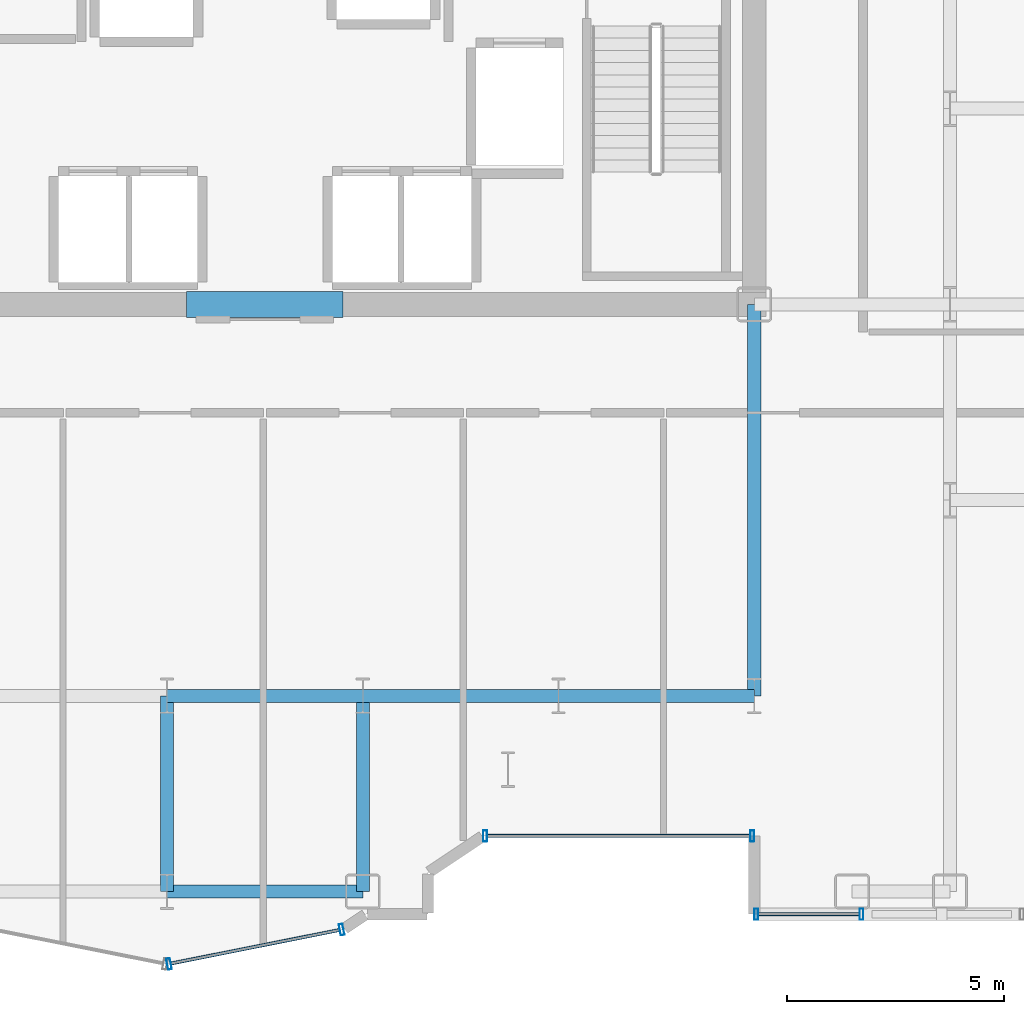
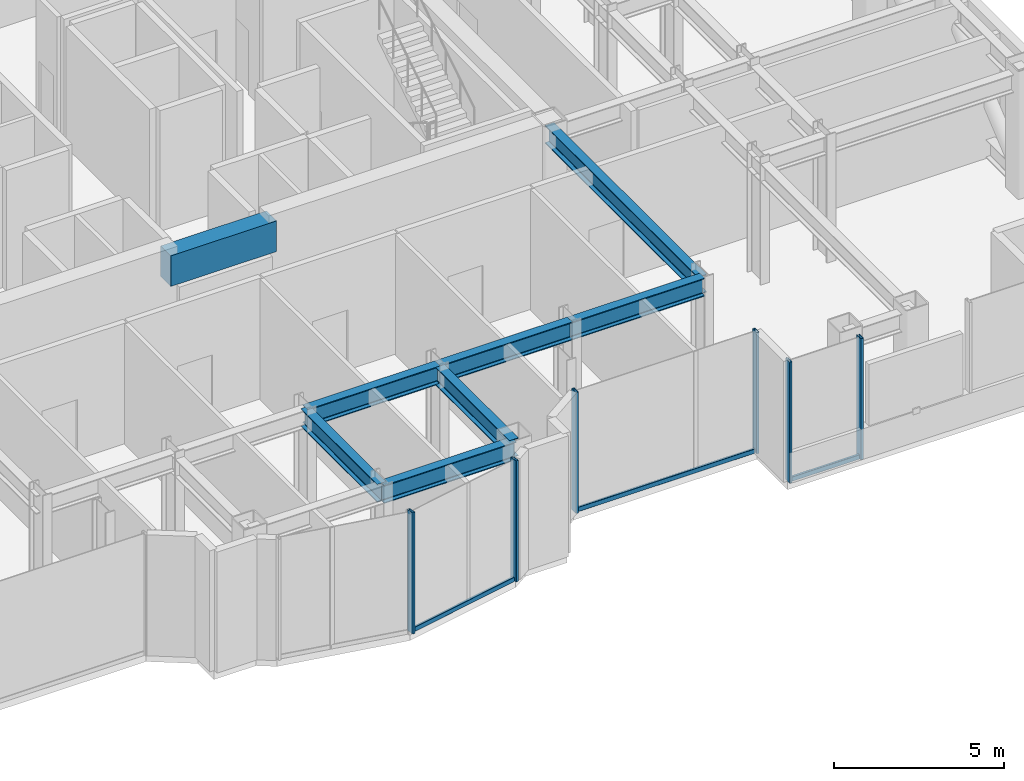
# One storey, part 8 of 26: 9 members, 8 beams, 3 elements without a shape of their own.
"""IFC4 building model written with IfcOpenShell, lengths in metres."""

from ifc_helpers import new_model, si_unit, direction, frame, origin, origin_2d, place, context, subcontext, project, spatial, rectangle, hollow_rectangle, i_section, extrude, source, transform, mapped, material, layer, layer_set, material_profile, profile_set, type_object, element, aggregate, save


model = new_model("IFC4")

# Units and contexts
model_context = context("Model", 3, precision=1e-05, world=origin(), true_north=direction((0.0, 1.0)))
body_context = subcontext(model_context, "Body", "Model", "MODEL_VIEW")
ifc_project = project(units=[si_unit("LENGTHUNIT", "METRE"), si_unit("AREAUNIT", "SQUARE_METRE"), si_unit("VOLUMEUNIT", "CUBIC_METRE"), si_unit("PLANEANGLEUNIT", "RADIAN"), si_unit("MASSUNIT", "GRAM", prefix="KILO")], contexts=[model_context])

# Site, building, storey
site_placement = place(None, origin())
site = spatial("IfcSite", under=ifc_project, at=site_placement, CompositionType="ELEMENT")
building_placement = place(site_placement, origin())
building = spatial("IfcBuilding", under=site, at=building_placement, Name="Nefas-Gora Pilgrimage Tower", CompositionType="ELEMENT")
storey_placement = place(building_placement, frame((0.0, 0.0, 202.0)))
storey = spatial("IfcBuildingStorey", under=building, at=storey_placement, Name="L50", CompositionType="ELEMENT", Elevation=202.0)

# Beams
ifc_material_1 = material(Name="Concrete C60/75", Category="concrete")
ifc_material_profile_1 = material_profile(ifc_material_1, rectangle(XDim=0.60009765625, YDim=1.10009765625, at=origin_2d()), Name="RC 600x1100")
ifc_profile_set_1 = profile_set([ifc_material_profile_1], Name="Concrete C60/75")
beam_type_1 = type_object("IfcBeamType", Name="BM-LIN-RC1100", PredefinedType="LINTEL", material=ifc_profile_set_1)
shared_shape_1 = source(origin(), body_context, "Body", "SweptSolid", [
    extrude(rectangle(XDim=0.60009765625, YDim=1.10009765625, at=origin_2d()), origin(), (0.0, 0.0, 1.0), 3.60009765625),
])
beam_1_placement = place(storey_placement, frame((-1.800048828125, -9.0, 3.800048828125), z_axis=(1.0, 0.0, 0.0), x_axis=(0.0, 1.0, 0.0)))
element("IfcBeam", 1, at=beam_1_placement, inside=storey, type_object=beam_type_1, Name="L50 Core Coupling Lintel Beam S", PredefinedType="LINTEL", context=body_context, shape_type="MappedRepresentation", body=[
    mapped(shared_shape_1, transform((0.0, 0.0, 0.0), x_axis=(1.0, 0.0, 0.0), y_axis=(0.0, 1.0, 0.0), z_axis=(0.0, 0.0, 1.0), scale=1.0)),
])
ifc_material_2 = material(Name="Steel S355", Category="steel")
ifc_material_profile_2 = material_profile(ifc_material_2, i_section(OverallWidth=0.300048828125, OverallDepth=0.64990234375, WebThickness=0.01611328125, FlangeThickness=0.031005859375, FilletRadius=0.027099609375, at=origin_2d()), Name="HEB 650")
ifc_profile_set_2 = profile_set([ifc_material_profile_2], Name="Steel S355")
beam_type_2 = type_object("IfcBeamType", Name="BM-GIR-HEB650", PredefinedType="BEAM", material=ifc_profile_set_2)
shared_shape_2 = source(origin(), body_context, "Body", "SweptSolid", [
    extrude(i_section(OverallWidth=0.300048828125, OverallDepth=0.64990234375, WebThickness=0.01611328125, FlangeThickness=0.031005859375, FilletRadius=0.027099609375, at=origin_2d()), origin(), (0.0, 0.0, 1.0), 9.0),
])
beam_2_placement = place(storey_placement, frame((11.25, -18.0, 4.02490234375), z_axis=(0.0, 1.0, 0.0), x_axis=(-1.0, 0.0, 0.0)))
element("IfcBeam", 2, at=beam_2_placement, inside=storey, type_object=beam_type_2, Name="L50 G-03 beam", PredefinedType="BEAM", context=body_context, shape_type="MappedRepresentation", body=[
    mapped(shared_shape_2, transform((0.0, 0.0, 0.0), x_axis=(1.0, 0.0, 0.0), y_axis=(0.0, 1.0, 0.0), z_axis=(0.0, 0.0, 1.0), scale=1.0)),
])
shared_shape_3 = source(origin(), body_context, "Body", "SweptSolid", [
    extrude(i_section(OverallWidth=0.300048828125, OverallDepth=0.64990234375, WebThickness=0.01611328125, FlangeThickness=0.031005859375, FilletRadius=0.027099609375, at=origin_2d()), origin(), (0.0, 0.0, 1.0), 4.5),
])
for number, where, z_axis, x_axis, name in (
    (3, (-2.25, -22.5, 4.02490234375), (0.0, 1.0, 0.0), (-1.0, 0.0, 0.0), "L50 G-03 beam"),
    (4, (-2.25, -22.5, 4.02490234375), (1.0, 0.0, 0.0), (0.0, 1.0, 0.0), "L50 G-03 beam"),
    (5, (-2.25, -18.0, 4.02490234375), (1.0, 0.0, 0.0), (0.0, 1.0, 0.0), "L50 G-03 beam"),
    (6, (2.25, -22.5, 4.02490234375), (0.0, 1.0, 0.0), (-1.0, 0.0, 0.0), "L50 G-03 beam"),
    (7, (2.25, -18.0, 4.02490234375), (1.0, 0.0, 0.0), (0.0, 1.0, 0.0), "L50 G-03 beam"),
    (8, (6.75, -18.0, 4.02490234375), (1.0, 0.0, 0.0), (0.0, 1.0, 0.0), "L50 G-03 beam"),
):
    element("IfcBeam", number, at=place(storey_placement, frame(where, z_axis=z_axis, x_axis=x_axis)), inside=storey, type_object=beam_type_2, Name=name, PredefinedType="BEAM", context=body_context, shape_type="MappedRepresentation", body=[
        mapped(shared_shape_3, transform((0.0, 0.0, 0.0), x_axis=(1.0, 0.0, 0.0), y_axis=(0.0, 1.0, 0.0), z_axis=(0.0, 0.0, 1.0), scale=1.0)),
    ])

# Curtain wall, member
ifc_material_3 = material(Name="Dark ceramic-fritted solar-control aluminium-glass curtain wall", Category="aluminium")
ifc_layer_1 = layer(ifc_material_3, 0.219970703125)
ifc_layer_set_1 = layer_set([ifc_layer_1], Name="Dark ceramic-fritted solar-control aluminium-glass curtain wall")
curtain_wall_type_1 = type_object("IfcCurtainWallType", Name="CW-SYS-5", PredefinedType="NOTDEFINED", material=ifc_layer_set_1)
curtain_wall_1_placement = place(storey_placement, origin())
curtain_wall_1 = element("IfcCurtainWall", 9, at=curtain_wall_1_placement, inside=storey, type_object=curtain_wall_type_1, Name="L50 Unitised Curtain Wall CW5", PredefinedType="NOTDEFINED")
ifc_material_4 = material(Name="Anodised architectural aluminium", Category="aluminium")
ifc_material_profile_3 = material_profile(ifc_material_4, hollow_rectangle(XDim=0.080078125, YDim=0.159912109375, WallThickness=0.00439453125, InnerFilletRadius=0.00439453125, OuterFilletRadius=0.009033203125, at=origin_2d()), Name="ALU TRANSOM 80x160")
ifc_profile_set_3 = profile_set([ifc_material_profile_3], Name="Anodised architectural aluminium")
member_type_1 = type_object("IfcMemberType", Name="CWM-TRN-5", PredefinedType="USERDEFINED", material=ifc_profile_set_3)
shared_shape_4 = source(origin(), body_context, "Body", "SweptSolid", [
    extrude(hollow_rectangle(XDim=0.080078125, YDim=0.159912109375, WallThickness=0.00439453125, InnerFilletRadius=0.00439453125, OuterFilletRadius=0.009033203125, at=origin_2d()), origin(), (0.0, 0.0, 1.0), 6.052001953125),
])
member_1_placement = place(storey_placement, frame((5.10791015625, -21.219970703125, 0.050048828125), z_axis=(1.0, 0.0, 0.0), x_axis=(0.0, 1.0, 0.0)))
member_1 = element("IfcMember", 10, at=member_1_placement, type_object=member_type_1, Name="CW5 Spandrel Transom", ObjectType="TRANSOM", PredefinedType="USERDEFINED", context=body_context, shape_type="MappedRepresentation", body=[
    mapped(shared_shape_4, transform((0.0, 0.0, 0.0), x_axis=(1.0, 0.0, 0.0), y_axis=(0.0, 1.0, 0.0), z_axis=(0.0, 0.0, 1.0), scale=1.0)),
])

curtain_wall_2_placement = place(storey_placement, origin())
curtain_wall_2 = element("IfcCurtainWall", 11, at=curtain_wall_2_placement, inside=storey, type_object=curtain_wall_type_1, Name="L50 Unitised Curtain Wall CW5", PredefinedType="NOTDEFINED")
shared_shape_5 = source(origin(), body_context, "Body", "SweptSolid", [
    extrude(hollow_rectangle(XDim=0.080078125, YDim=0.159912109375, WallThickness=0.00439453125, InnerFilletRadius=0.00439453125, OuterFilletRadius=0.009033203125, at=origin_2d()), origin(), (0.0, 0.0, 1.0), 3.95654296875),
])
member_2_placement = place(storey_placement, frame((-2.16162109375, -24.15478515625, 0.050048828125), z_axis=(0.980781880918, 0.195107411605, 0.0), x_axis=(-0.195107411605, 0.980781880918, 0.0)))
member_2 = element("IfcMember", 12, at=member_2_placement, type_object=member_type_1, Name="CW5 Spandrel Transom", ObjectType="TRANSOM", PredefinedType="USERDEFINED", context=body_context, shape_type="MappedRepresentation", body=[
    mapped(shared_shape_5, transform((0.0, 0.0, 0.0), x_axis=(1.0, 0.0, 0.0), y_axis=(0.0, 1.0, 0.0), z_axis=(0.0, 0.0, 1.0), scale=1.0)),
])

# Member
ifc_material_profile_4 = material_profile(ifc_material_4, hollow_rectangle(XDim=0.090087890625, YDim=0.260009765625, WallThickness=0.006103515625, InnerFilletRadius=0.006103515625, OuterFilletRadius=0.011962890625, at=origin_2d()), Name="ALU MULLION 90x260")
ifc_profile_set_4 = profile_set([ifc_material_profile_4], Name="Anodised architectural aluminium")
member_type_2 = type_object("IfcMemberType", Name="CWM-MUL-5", PredefinedType="MULLION", material=ifc_profile_set_4)
shared_shape_6 = source(origin(), body_context, "Body", "SweptSolid", [
    extrude(hollow_rectangle(XDim=0.090087890625, YDim=0.260009765625, WallThickness=0.006103515625, InnerFilletRadius=0.006103515625, OuterFilletRadius=0.011962890625, at=origin_2d()), origin(), (0.0, 0.0, 1.0), 4.35009765625),
])
member_3_placement = place(storey_placement, frame((5.06298828125, -21.219970703125, 0.0), z_axis=(0.0, 0.0, 1.0), x_axis=(1.0, 0.0, 0.0)))
member_3 = element("IfcMember", 13, at=member_3_placement, type_object=member_type_2, Name="CW5 Mullion 1", PredefinedType="MULLION", context=body_context, shape_type="MappedRepresentation", body=[
    mapped(shared_shape_6, transform((0.0, 0.0, 0.0), x_axis=(1.0, 0.0, 0.0), y_axis=(0.0, 1.0, 0.0), z_axis=(0.0, 0.0, 1.0), scale=1.0)),
])

member_4_placement = place(storey_placement, frame((11.205078125, -21.219970703125, 0.0), z_axis=(0.0, 0.0, 1.0), x_axis=(1.0, 0.0, 0.0)))
member_4 = element("IfcMember", 14, at=member_4_placement, type_object=member_type_2, Name="CW5 Mullion 2", PredefinedType="MULLION", context=body_context, shape_type="MappedRepresentation", body=[
    mapped(shared_shape_6, transform((0.0, 0.0, 0.0), x_axis=(1.0, 0.0, 0.0), y_axis=(0.0, 1.0, 0.0), z_axis=(0.0, 0.0, 1.0), scale=1.0)),
])

aggregate(curtain_wall_1, [member_3, member_4, member_1])

member_5_placement = place(storey_placement, frame((-2.205810546875, -24.16357421875, 0.0), z_axis=(0.0, 0.0, 1.0), x_axis=(0.980782896852, 0.195102304554, 0.0)))
member_5 = element("IfcMember", 15, at=member_5_placement, type_object=member_type_2, Name="CW5 Mullion 1", PredefinedType="MULLION", context=body_context, shape_type="MappedRepresentation", body=[
    mapped(shared_shape_6, transform((0.0, 0.0, 0.0), x_axis=(1.0, 0.0, 0.0), y_axis=(0.0, 1.0, 0.0), z_axis=(0.0, 0.0, 1.0), scale=1.0)),
])

member_6_placement = place(storey_placement, frame((1.76318359375, -23.3740234375, 0.0), z_axis=(0.0, 0.0, 1.0), x_axis=(0.980782896852, 0.195102304554, 0.0)))
member_6 = element("IfcMember", 16, at=member_6_placement, type_object=member_type_2, Name="CW5 Mullion 2", PredefinedType="MULLION", context=body_context, shape_type="MappedRepresentation", body=[
    mapped(shared_shape_6, transform((0.0, 0.0, 0.0), x_axis=(1.0, 0.0, 0.0), y_axis=(0.0, 1.0, 0.0), z_axis=(0.0, 0.0, 1.0), scale=1.0)),
])

aggregate(curtain_wall_2, [member_5, member_6, member_2])

# Curtain wall, members
ifc_layer_2 = layer(ifc_material_3, 0.219970703125)
ifc_layer_set_2 = layer_set([ifc_layer_2], Name="Dark ceramic-fritted solar-control aluminium-glass curtain wall")
curtain_wall_type_2 = type_object("IfcCurtainWallType", Name="CW-SYS-3", PredefinedType="NOTDEFINED", material=ifc_layer_set_2)
curtain_wall_3_placement = place(storey_placement, origin())
curtain_wall_3 = element("IfcCurtainWall", 17, at=curtain_wall_3_placement, inside=storey, type_object=curtain_wall_type_2, Name="L50 Unitised Curtain Wall CW3", PredefinedType="NOTDEFINED")
ifc_material_profile_5 = material_profile(ifc_material_4, hollow_rectangle(XDim=0.090087890625, YDim=0.260009765625, WallThickness=0.006103515625, InnerFilletRadius=0.006103515625, OuterFilletRadius=0.011962890625, at=origin_2d()), Name="ALU MULLION 90x260")
ifc_profile_set_5 = profile_set([ifc_material_profile_5], Name="Anodised architectural aluminium")
member_type_3 = type_object("IfcMemberType", Name="CWM-MUL-3", PredefinedType="MULLION", material=ifc_profile_set_5)
shared_shape_7 = source(origin(), body_context, "Body", "SweptSolid", [
    extrude(hollow_rectangle(XDim=0.090087890625, YDim=0.260009765625, WallThickness=0.006103515625, InnerFilletRadius=0.006103515625, OuterFilletRadius=0.011962890625, at=origin_2d()), origin(), (0.0, 0.0, 1.0), 4.35009765625),
])
member_7_placement = place(storey_placement, frame((11.294921875, -23.02001953125, 0.0), z_axis=(0.0, 0.0, 1.0), x_axis=(1.0, 0.0, 0.0)))
member_7 = element("IfcMember", 18, at=member_7_placement, type_object=member_type_3, Name="CW3 Mullion 1", PredefinedType="MULLION", context=body_context, shape_type="MappedRepresentation", body=[
    mapped(shared_shape_7, transform((0.0, 0.0, 0.0), x_axis=(1.0, 0.0, 0.0), y_axis=(0.0, 1.0, 0.0), z_axis=(0.0, 0.0, 1.0), scale=1.0)),
])
member_8_placement = place(storey_placement, frame((13.715087890625, -23.02001953125, 0.0), z_axis=(0.0, 0.0, 1.0), x_axis=(1.0, 0.0, 0.0)))
member_8 = element("IfcMember", 19, at=member_8_placement, type_object=member_type_3, Name="CW3 Mullion 2", PredefinedType="MULLION", context=body_context, shape_type="MappedRepresentation", body=[
    mapped(shared_shape_7, transform((0.0, 0.0, 0.0), x_axis=(1.0, 0.0, 0.0), y_axis=(0.0, 1.0, 0.0), z_axis=(0.0, 0.0, 1.0), scale=1.0)),
])
ifc_material_profile_6 = material_profile(ifc_material_4, hollow_rectangle(XDim=0.080078125, YDim=0.159912109375, WallThickness=0.00439453125, InnerFilletRadius=0.00439453125, OuterFilletRadius=0.009033203125, at=origin_2d()), Name="ALU TRANSOM 80x160")
ifc_profile_set_6 = profile_set([ifc_material_profile_6], Name="Anodised architectural aluminium")
member_type_4 = type_object("IfcMemberType", Name="CWM-TRN-3", PredefinedType="USERDEFINED", material=ifc_profile_set_6)
shared_shape_8 = source(origin(), body_context, "Body", "SweptSolid", [
    extrude(hollow_rectangle(XDim=0.080078125, YDim=0.159912109375, WallThickness=0.00439453125, InnerFilletRadius=0.00439453125, OuterFilletRadius=0.009033203125, at=origin_2d()), origin(), (0.0, 0.0, 1.0), 2.329833984375),
])
member_9_placement = place(storey_placement, frame((11.340087890625, -23.02001953125, 0.050048828125), z_axis=(1.0, 0.0, 0.0), x_axis=(0.0, 1.0, 0.0)))
member_9 = element("IfcMember", 20, at=member_9_placement, type_object=member_type_4, Name="CW3 Spandrel Transom", ObjectType="TRANSOM", PredefinedType="USERDEFINED", context=body_context, shape_type="MappedRepresentation", body=[
    mapped(shared_shape_8, transform((0.0, 0.0, 0.0), x_axis=(1.0, 0.0, 0.0), y_axis=(0.0, 1.0, 0.0), z_axis=(0.0, 0.0, 1.0), scale=1.0)),
])
aggregate(curtain_wall_3, [member_7, member_8, member_9])

save(model, "model.ifc")
